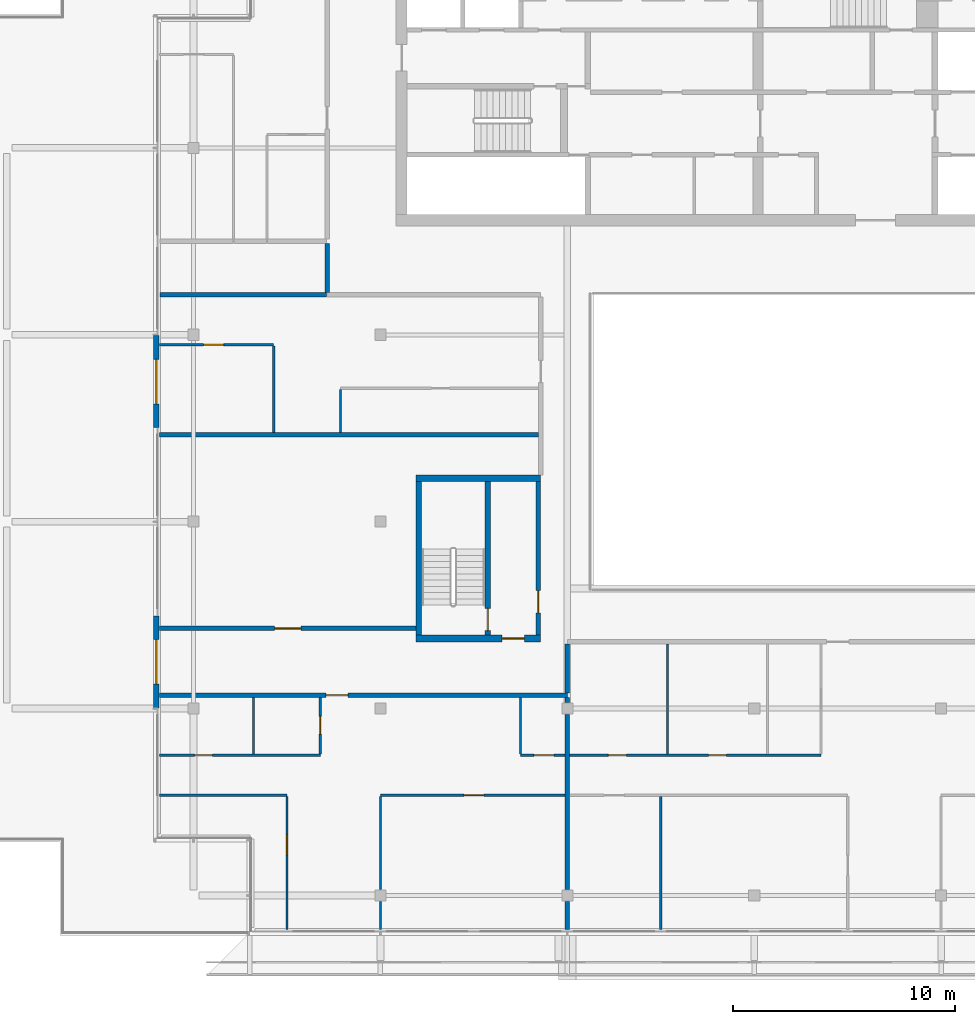
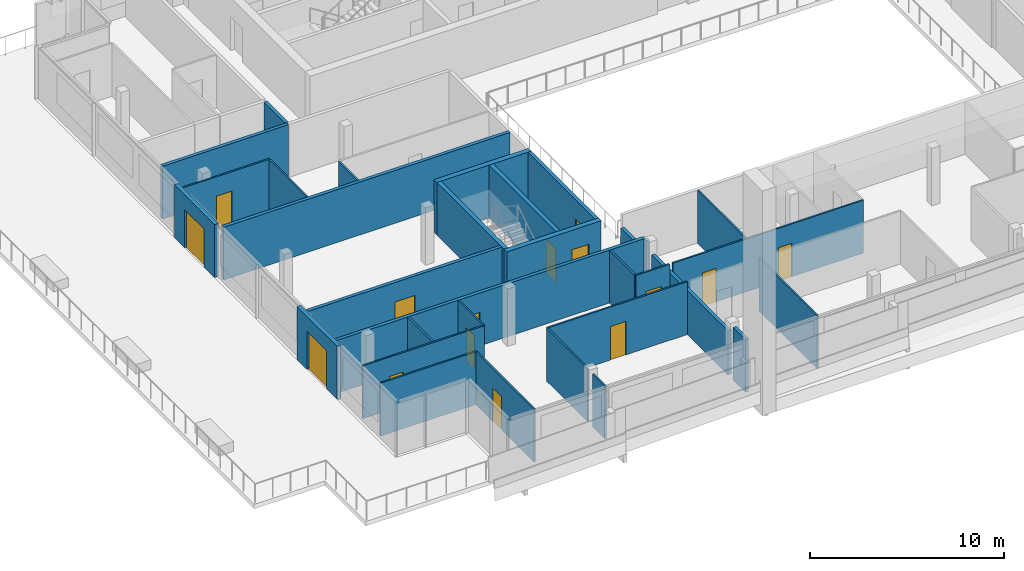
# One storey, part 17 of 29: 32 walls, 15 doors, 15 openings.
"""IFC4 building model written with IfcOpenShell, lengths in metres."""

import ifcopenshell
import ifcopenshell.guid

model = None  # the IFC model being written
_history = None  # IfcOwnerHistory: only IFC2X3 demands one
_inside = {}  # id of a spatial element -> (the spatial element, [elements in it])
_under = {}  # id of a project, library or spatial element -> (it, [spatial elements below it])
_declared = {}  # id of a project -> (the project, [libraries it declares])
_typed = {}  # id of a type object -> (the type object, [elements of that type])
_made_of = {}  # id of a material, layer set ... -> (it, [elements and type objects made of it])


def new_model(schema):
    """Start an empty IFC model of exactly this schema.

    Asked for "IFC4X3", IfcOpenShell would pick the latest addendum, in which some entities
    have other attributes; the version numbers below select the first issue.
    IFC2X3 requires an IfcOwnerHistory on every rooted entity: one is made here for all.
    """
    global model, _history
    if schema == "IFC4X3":
        model = ifcopenshell.file(schema_version=(4, 3, 0, 0))
    else:
        model = ifcopenshell.file(schema=schema)
    _inside.clear()
    _under.clear()
    _declared.clear()
    _typed.clear()
    _made_of.clear()
    _history = None
    if model.schema == "IFC2X3":
        org = make("IfcOrganization", Name="unknown")
        user = make(
            "IfcPersonAndOrganization",
            ThePerson=make("IfcPerson", FamilyName="unknown"),
            TheOrganization=org,
        )
        app = make(
            "IfcApplication",
            ApplicationDeveloper=org,
            Version="unknown",
            ApplicationFullName="unknown",
            ApplicationIdentifier="unknown",
        )
        _history = make(
            "IfcOwnerHistory",
            OwningUser=user,
            OwningApplication=app,
            ChangeAction="ADDED",
            CreationDate=0,
        )
    return model


def make(cls, **values):
    """One entity of the class cls with the attributes given. An attribute that is None is left unset."""
    return model.create_entity(
        cls, **{name: value for name, value in values.items() if value is not None}
    )


def rooted(cls, **values):
    """An entity with a GlobalId (a new one), such as an element, a storey or a relation."""
    return make(cls, GlobalId=ifcopenshell.guid.new(), OwnerHistory=_history, **values)


def si_unit(unit_type, name, prefix=None):
    """IfcSIUnit, for example si_unit("LENGTHUNIT", "METRE", prefix="MILLI")."""
    return make("IfcSIUnit", UnitType=unit_type, Prefix=prefix, Name=name)


def assignment(units):
    """IfcUnitAssignment: the units of a project."""
    return None if units is None else make("IfcUnitAssignment", Units=units)


def point(xyz):
    """IfcCartesianPoint."""
    return None if xyz is None else make("IfcCartesianPoint", Coordinates=xyz)


def direction(xyz):
    """IfcDirection."""
    return None if xyz is None else make("IfcDirection", DirectionRatios=xyz)


def frame(location, z_axis=None, x_axis=None):
    """IfcAxis2Placement3D, a coordinate frame: its origin and axes. An axis left out is left unset."""
    return make(
        "IfcAxis2Placement3D",
        Location=point(location),
        Axis=direction(z_axis),
        RefDirection=direction(x_axis),
    )


def frame_2d(location, x_axis=None):
    """IfcAxis2Placement2D, a coordinate frame in the plane: its origin and x axis."""
    return make(
        "IfcAxis2Placement2D", Location=point(location), RefDirection=direction(x_axis)
    )


def origin():
    """The frame at (0, 0, 0) with its axes left unset."""
    return frame((0.0, 0.0, 0.0))


def place(relative_to, where):
    """IfcLocalPlacement: puts the frame where relative to a parent placement (None: the world)."""
    return make(
        "IfcLocalPlacement", PlacementRelTo=relative_to, RelativePlacement=where
    )


def context(
    kind, dimensions, precision=None, world=None, true_north=None, identifier=None
):
    """IfcGeometricRepresentationContext, for example the 3D "Model" context."""
    return make(
        "IfcGeometricRepresentationContext",
        ContextIdentifier=identifier,
        ContextType=kind,
        CoordinateSpaceDimension=dimensions,
        Precision=precision,
        WorldCoordinateSystem=world,
        TrueNorth=true_north,
    )


def subcontext(parent, identifier, kind, view, scale=None):
    """IfcGeometricRepresentationSubContext, for example "Body" below "Model"."""
    return make(
        "IfcGeometricRepresentationSubContext",
        ContextIdentifier=identifier,
        ContextType=kind,
        ParentContext=parent,
        TargetScale=scale,
        TargetView=view,
    )


def project(units=None, contexts=None):
    """IfcProject with its units and contexts."""
    return rooted(
        "IfcProject",
        Name="project",
        RepresentationContexts=contexts,
        UnitsInContext=assignment(units),
    )


def spatial(cls, under=None, at=None, **own):
    """A site, building, storey or space (cls), placed at a placement, below another one or the project."""
    s = rooted(cls, ObjectPlacement=at, **own)
    if under is not None:
        _under.setdefault(under.id(), (under, []))[1].append(s)
    return s


def profile(cls, at=None, kind="AREA", **sizes):
    """A parametric profile (cls). Its sizes go by their IFC names, for example OverallWidth=200.0."""
    return make(cls, ProfileType=kind, Position=at, **sizes)


def rectangle(**sizes):
    """IfcRectangleProfileDef."""
    return profile("IfcRectangleProfileDef", **sizes)


def extrude(swept, where, along, depth):
    """IfcExtrudedAreaSolid: the profile swept, set in the frame where, extruded along a direction by depth."""
    return make(
        "IfcExtrudedAreaSolid",
        SweptArea=swept,
        Position=where,
        ExtrudedDirection=direction(along),
        Depth=depth,
    )


def shape(context_of_items, identifier, shape_type, items):
    """IfcShapeRepresentation: the items that make up one representation, for example the "Body"."""
    return make(
        "IfcShapeRepresentation",
        ContextOfItems=context_of_items,
        RepresentationIdentifier=identifier,
        RepresentationType=shape_type,
        Items=items,
    )


def material(Name=None, Category=None):
    """IfcMaterial."""
    return make("IfcMaterial", Name=Name, Category=Category)


def layer(
    of_material, thickness, ventilated=None, Name=None, Category=None, Priority=None
):
    """IfcMaterialLayer: one layer of a wall or slab, of a material (None: an air gap)."""
    return make(
        "IfcMaterialLayer",
        Material=of_material,
        LayerThickness=thickness,
        IsVentilated=ventilated,
        Name=Name,
        Category=Category,
        Priority=Priority,
    )


def layer_set(layers, Name=None):
    """IfcMaterialLayerSet."""
    return make("IfcMaterialLayerSet", MaterialLayers=layers, LayerSetName=Name)


def made_of(thing, what):
    """Note that an element or type object is made of a material, layer set ...; save() writes the relation."""
    if what is not None:
        _made_of.setdefault(what.id(), (what, []))[1].append(thing)
    return thing


def type_object(cls, material=None, **own):
    """A type object (cls), such as IfcWallType, which elements share."""
    return made_of(rooted(cls, **own), material)


def element(
    cls,
    number,
    at=None,
    inside=None,
    cuts=None,
    type_object=None,
    material=None,
    context=None,
    identifier="Body",
    shape_type=None,
    held_by="IfcProductDefinitionShape",
    body=None,
    shapes=None,
    **own,
):
    """One element of the class cls, such as IfcWall. Its Tag is "e" and its number.

    at: its placement. inside: the storey or other place that contains it. cuts: it is an
    opening in that element (IfcRelVoidsElement). A single representation is given by context,
    identifier, shape_type and body (its items); several are given by shapes. held_by: the class
    of the entity that holds the representations. save() writes the other relations.
    """
    e = rooted(cls, Tag="e%d" % number, ObjectPlacement=at, **own)
    if body is not None:
        shapes = [shape(context, identifier, shape_type, body)]
    if shapes is not None:
        e.Representation = make(held_by, Representations=shapes)
    if inside is not None:
        _inside.setdefault(inside.id(), (inside, []))[1].append(e)
    if cuts is not None:
        rooted(
            "IfcRelVoidsElement", RelatingBuildingElement=cuts, RelatedOpeningElement=e
        )
    if type_object is not None:
        _typed.setdefault(type_object.id(), (type_object, []))[1].append(e)
    return made_of(e, material)


def fill(opening, filler):
    """IfcRelFillsElement: the door or window that sits in an opening."""
    return rooted(
        "IfcRelFillsElement",
        RelatingOpeningElement=opening,
        RelatedBuildingElement=filler,
    )


def aggregate(whole, parts):
    """IfcRelAggregates: a whole, such as a stair, and the parts it consists of."""
    return rooted("IfcRelAggregates", RelatingObject=whole, RelatedObjects=parts)


def save(model, path):
    """Write the relations noted so far, then the file.

    IfcRelAggregates (storeys below a building ...), IfcRelContainedInSpatialStructure (elements
    in a storey), IfcRelDefinesByType, IfcRelAssociatesMaterial and IfcRelDeclares: one each for
    every whole, place, type object, material and project.
    """
    for whole, parts in _under.values():
        aggregate(whole, parts)
    for where, things in _inside.values():
        rooted(
            "IfcRelContainedInSpatialStructure",
            RelatedElements=things,
            RelatingStructure=where,
        )
    for kind, things in _typed.values():
        rooted("IfcRelDefinesByType", RelatedObjects=things, RelatingType=kind)
    for what, things in _made_of.values():
        rooted("IfcRelAssociatesMaterial", RelatedObjects=things, RelatingMaterial=what)
    for by, libraries in _declared.values():
        rooted("IfcRelDeclares", RelatingContext=by, RelatedDefinitions=libraries)
    model.write(path)


model = new_model("IFC4")

# Units and contexts
model_context = context("Model", 3, precision=1e-05, world=origin(), true_north=direction((0.0, 1.0)))
body_context = subcontext(model_context, "Body", "Model", "MODEL_VIEW")
ifc_project = project(units=[si_unit("LENGTHUNIT", "METRE"), si_unit("AREAUNIT", "SQUARE_METRE"), si_unit("VOLUMEUNIT", "CUBIC_METRE"), si_unit("PLANEANGLEUNIT", "RADIAN"), si_unit("MASSUNIT", "GRAM", prefix="KILO")], contexts=[model_context])

# Site, building, storey
site_placement = place(None, origin())
site = spatial("IfcSite", under=ifc_project, at=site_placement, CompositionType="ELEMENT")
building_placement = place(site_placement, origin())
building = spatial("IfcBuilding", under=site, at=building_placement, Name="Saffron Gate Tower", CompositionType="ELEMENT")
storey_placement = place(building_placement, frame((0.0, 0.0, 270.75)))
storey = spatial("IfcBuildingStorey", under=building, at=storey_placement, Name="L65", CompositionType="ELEMENT", Elevation=270.75)

# Wall, opening, door
ifc_material_1 = material(Name="Gypsum board partition on steel studs", Category="steel")
ifc_layer_1 = layer(ifc_material_1, 0.199951171875)
ifc_layer_set_1 = layer_set([ifc_layer_1], Name="CW10 Core partition 200")
wall_type_1 = type_object("IfcWallType", Name="CW10 Core partition 200", PredefinedType="PARTITIONING", material=ifc_layer_set_1)
wall_1_placement = place(storey_placement, frame((73.699951171875, 43.5, 0.0), z_axis=(0.0, 0.0, 1.0), x_axis=(0.0, 1.0, 0.0)))
wall_1 = element("IfcWall", 1, at=wall_1_placement, inside=storey, type_object=wall_type_1, Name="Wall CW10-L65-D-4", PredefinedType="PARTITIONING", context=body_context, shape_type="SweptSolid", body=[
    extrude(rectangle(XDim=6.89990234375, YDim=0.199951171875, at=frame_2d((3.449951171875, 0.0))), origin(), (0.0, 0.0, 1.0), 3.320068359375),
])
opening_1_placement = place(wall_1_placement, frame((1.0, 0.0, 0.0)))
opening_1 = element("IfcOpeningElement", 2, at=opening_1_placement, cuts=wall_1, Name="Opening CR-19", PredefinedType="OPENING", context=body_context, shape_type="SweptSolid", body=[
    extrude(rectangle(XDim=1.0, YDim=2.10009765625, at=frame_2d((0.5, 1.050048828125))), frame((0.0, 0.10986328125, 0.0), z_axis=(0.0, -1.0, 0.0), x_axis=(1.0, 0.0, 0.0)), (0.0, 0.0, 1.0), 0.219970703125),
])
ifc_material_2 = material(Name="Steel fire door set", Category="steel")
door_type_1 = type_object("IfcDoorType", Name="CD4 Lobby door 1000x2100 EI 120", OperationType="NOTDEFINED", PredefinedType="DOOR", material=ifc_material_2)
door_1_placement = place(opening_1_placement, origin())
door_1 = element("IfcDoor", 3, at=door_1_placement, inside=storey, type_object=door_type_1, Name="DOOR CR-19", OperationType="SINGLE_SWING_RIGHT", OverallHeight=2.10009765625, OverallWidth=1.0, PredefinedType="DOOR", context=body_context, shape_type="SweptSolid", body=[
    extrude(rectangle(XDim=1.0, YDim=2.10009765625, at=frame_2d((0.5, 1.050048828125))), frame((0.0, 0.02490234375, 0.0), z_axis=(0.0, -1.0, 0.0), x_axis=(1.0, 0.0, 0.0)), (0.0, 0.0, 1.0), 0.050048828125),
])
fill(opening_1, door_1)

# Wall
ifc_material_3 = material(Name="Concrete C50", Category="concrete")
ifc_layer_2 = layer(ifc_material_3, 0.25)
ifc_layer_set_2 = layer_set([ifc_layer_2], Name="CW23 RC core wall 250 C50")
wall_type_2 = type_object("IfcWallType", Name="CW23 RC core wall 250 C50", PredefinedType="SOLIDWALL", material=ifc_layer_set_2)
wall_2_placement = place(storey_placement, frame((68.324951171875, 43.5, 0.0), z_axis=(0.0, 0.0, 1.0), x_axis=(0.0, 1.0, 0.0)))
element("IfcWall", 4, at=wall_2_placement, inside=storey, type_object=wall_type_2, Name="Wall CW23-L65-D-2", PredefinedType="SOLIDWALL", context=body_context, shape_type="SweptSolid", body=[
    extrude(rectangle(XDim=6.89990234375, YDim=0.25, at=frame_2d((3.449951171875, 0.0))), origin(), (0.0, 0.0, 1.0), 3.320068359375),
])

# Wall, opening, door
wall_3_placement = place(storey_placement, frame((71.425048828125, 43.5, 0.0), z_axis=(0.0, 0.0, 1.0), x_axis=(0.0, 1.0, 0.0)))
wall_3 = element("IfcWall", 5, at=wall_3_placement, inside=storey, type_object=wall_type_2, Name="Wall CW23-L65-D-3", PredefinedType="SOLIDWALL", context=body_context, shape_type="SweptSolid", body=[
    extrude(rectangle(XDim=6.89990234375, YDim=0.25, at=frame_2d((3.449951171875, 0.0))), origin(), (0.0, 0.0, 1.0), 3.320068359375),
])
opening_2_placement = place(wall_3_placement, frame((0.199951171875, 0.0, 0.0)))
opening_2 = element("IfcOpeningElement", 6, at=opening_2_placement, cuts=wall_3, Name="Opening CR-20", PredefinedType="OPENING", context=body_context, shape_type="SweptSolid", body=[
    extrude(rectangle(XDim=1.0, YDim=2.10009765625, at=frame_2d((0.5, 1.050048828125))), frame((0.0, 0.135009765625, 0.0), z_axis=(0.0, -1.0, 0.0), x_axis=(1.0, 0.0, 0.0)), (0.0, 0.0, 1.0), 0.27001953125),
])
door_type_2 = type_object("IfcDoorType", Name="CD5 Stair door 1000x2100 EI 120", OperationType="NOTDEFINED", PredefinedType="DOOR", material=ifc_material_2)
door_2_placement = place(opening_2_placement, origin())
door_2 = element("IfcDoor", 7, at=door_2_placement, inside=storey, type_object=door_type_2, Name="DOOR CR-20", OperationType="SINGLE_SWING_LEFT", OverallHeight=2.10009765625, OverallWidth=1.0, PredefinedType="DOOR", context=body_context, shape_type="SweptSolid", body=[
    extrude(rectangle(XDim=1.0, YDim=2.10009765625, at=frame_2d((0.5, 1.050048828125))), frame((0.0, 0.02490234375, 0.0), z_axis=(0.0, -1.0, 0.0), x_axis=(1.0, 0.0, 0.0)), (0.0, 0.0, 1.0), 0.050048828125),
])
fill(opening_2, door_2)

ifc_layer_3 = layer(ifc_material_3, 0.300048828125)
ifc_layer_set_3 = layer_set([ifc_layer_3], Name="CW26 RC core wall 300 C50")
wall_type_3 = type_object("IfcWallType", Name="CW26 RC core wall 300 C50", PredefinedType="SOLIDWALL", material=ifc_layer_set_3)
wall_4_placement = place(storey_placement, frame((68.199951171875, 43.35009765625, 0.0), z_axis=(0.0, 0.0, 1.0), x_axis=(1.0, 0.0, 0.0)))
wall_4 = element("IfcWall", 8, at=wall_4_placement, inside=storey, type_object=wall_type_3, Name="Wall CW26-L65-D-1", PredefinedType="SOLIDWALL", context=body_context, shape_type="SweptSolid", body=[
    extrude(rectangle(XDim=5.60009765625, YDim=0.300048828125, at=frame_2d((2.800048828125, 0.0))), origin(), (0.0, 0.0, 1.0), 3.320068359375),
])
opening_3_placement = place(wall_4_placement, frame((3.875, 0.0, 0.0)))
opening_3 = element("IfcOpeningElement", 9, at=opening_3_placement, cuts=wall_4, Name="Opening CR-18", PredefinedType="OPENING", context=body_context, shape_type="SweptSolid", body=[
    extrude(rectangle(XDim=1.0, YDim=2.10009765625, at=frame_2d((0.5, 1.050048828125))), frame((0.0, 0.16015625, 0.0), z_axis=(0.0, -1.0, 0.0), x_axis=(1.0, 0.0, 0.0)), (0.0, 0.0, 1.0), 0.320068359375),
])
door_3_placement = place(opening_3_placement, origin())
door_3 = element("IfcDoor", 10, at=door_3_placement, inside=storey, type_object=door_type_1, Name="DOOR CR-18", OperationType="SINGLE_SWING_RIGHT", OverallHeight=2.10009765625, OverallWidth=1.0, PredefinedType="DOOR", context=body_context, shape_type="SweptSolid", body=[
    extrude(rectangle(XDim=1.0, YDim=2.10009765625, at=frame_2d((0.5, 1.050048828125))), frame((0.0, 0.02490234375, 0.0), z_axis=(0.0, -1.0, 0.0), x_axis=(1.0, 0.0, 0.0)), (0.0, 0.0, 1.0), 0.050048828125),
])
fill(opening_3, door_3)

# Walls
wall_5_placement = place(storey_placement, frame((68.199951171875, 50.550048828125, 0.0), z_axis=(0.0, 0.0, 1.0), x_axis=(1.0, 0.0, 0.0)))
element("IfcWall", 11, at=wall_5_placement, inside=storey, type_object=wall_type_3, Name="Wall CW26-L65-D-5", PredefinedType="SOLIDWALL", context=body_context, shape_type="SweptSolid", body=[
    extrude(rectangle(XDim=5.60009765625, YDim=0.300048828125, at=frame_2d((2.800048828125, 0.0))), origin(), (0.0, 0.0, 1.0), 3.320068359375),
])
ifc_material_4 = material(Name="Plasterboard on steel studs", Category="steel")
ifc_layer_4 = layer(ifc_material_4, 0.10009765625)
ifc_layer_set_4 = layer_set([ifc_layer_4], Name="PW1 Partition 100")
wall_type_4 = type_object("IfcWallType", Name="PW1 Partition 100", PredefinedType="PARTITIONING", material=ifc_layer_set_4)
wall_6_placement = place(storey_placement, frame((56.679931640625, 36.300048828125, 0.0), z_axis=(0.0, 0.0, 1.0), x_axis=(1.0, 0.0, 0.0)))
element("IfcWall", 12, at=wall_6_placement, inside=storey, type_object=wall_type_4, Name="Partition E2-3", PredefinedType="PARTITIONING", context=body_context, shape_type="SweptSolid", body=[
    extrude(rectangle(XDim=5.719970703125, YDim=0.10009765625, at=frame_2d((2.85986328125, 0.0))), origin(), (0.0, 0.0, 1.0), 3.320068359375),
])

# Wall, opening, door
wall_7_placement = place(storey_placement, frame((56.679931640625, 38.10009765625, 0.0), z_axis=(0.0, 0.0, 1.0), x_axis=(1.0, 0.0, 0.0)))
wall_7 = element("IfcWall", 13, at=wall_7_placement, inside=storey, type_object=wall_type_4, Name="Partition E2-7", PredefinedType="PARTITIONING", context=body_context, shape_type="SweptSolid", body=[
    extrude(rectangle(XDim=7.219970703125, YDim=0.10009765625, at=frame_2d((3.60986328125, 0.0))), origin(), (0.0, 0.0, 1.0), 3.320068359375),
])
opening_4_placement = place(wall_7_placement, frame((1.570068359375, 0.0, 0.0)))
opening_4 = element("IfcOpeningElement", 14, at=opening_4_placement, cuts=wall_7, Name="Opening E2-23", PredefinedType="OPENING", context=body_context, shape_type="SweptSolid", body=[
    extrude(rectangle(XDim=0.800048828125, YDim=2.10009765625, at=frame_2d((0.39990234375, 1.050048828125))), frame((0.0, 0.06005859375, 0.0), z_axis=(0.0, -1.0, 0.0), x_axis=(1.0, 0.0, 0.0)), (0.0, 0.0, 1.0), 0.1201171875),
])
ifc_material_5 = material(Name="Timber door set", Category="wood")
door_type_3 = type_object("IfcDoorType", Name="RD2 Bathroom door 800x2100", OperationType="NOTDEFINED", PredefinedType="DOOR", material=ifc_material_5)
door_4_placement = place(opening_4_placement, origin())
door_4 = element("IfcDoor", 15, at=door_4_placement, inside=storey, type_object=door_type_3, Name="Door E2-23", OperationType="SINGLE_SWING_LEFT", OverallHeight=2.10009765625, OverallWidth=0.800048828125, PredefinedType="DOOR", context=body_context, shape_type="SweptSolid", body=[
    extrude(rectangle(XDim=0.800048828125, YDim=2.10009765625, at=frame_2d((0.39990234375, 1.050048828125))), frame((0.0, 0.02490234375, 0.0), z_axis=(0.0, -1.0, 0.0), x_axis=(1.0, 0.0, 0.0)), (0.0, 0.0, 1.0), 0.050048828125),
])
fill(opening_4, door_4)

wall_8_placement = place(storey_placement, frame((61.800048828125, 56.550048828125, 0.0), z_axis=(0.0, 0.0, 1.0), x_axis=(-1.0, 0.0, 0.0)))
wall_8 = element("IfcWall", 16, at=wall_8_placement, inside=storey, type_object=wall_type_4, Name="Partition E2-19", PredefinedType="PARTITIONING", context=body_context, shape_type="SweptSolid", body=[
    extrude(rectangle(XDim=5.1201171875, YDim=0.10009765625, at=frame_2d((2.56005859375, 0.0))), origin(), (0.0, 0.0, 1.0), 3.320068359375),
])
opening_5_placement = place(wall_8_placement, frame((2.25, 0.0, 0.0)))
opening_5 = element("IfcOpeningElement", 17, at=opening_5_placement, cuts=wall_8, Name="Opening E2-19", PredefinedType="OPENING", context=body_context, shape_type="SweptSolid", body=[
    extrude(rectangle(XDim=0.89990234375, YDim=2.10009765625, at=frame_2d((0.449951171875, 1.050048828125))), frame((0.0, 0.06005859375, 0.0), z_axis=(0.0, -1.0, 0.0), x_axis=(1.0, 0.0, 0.0)), (0.0, 0.0, 1.0), 0.1201171875),
])
door_type_4 = type_object("IfcDoorType", Name="RD1 Room door 900x2100", OperationType="NOTDEFINED", PredefinedType="DOOR", material=ifc_material_5)
door_5_placement = place(opening_5_placement, origin())
door_5 = element("IfcDoor", 18, at=door_5_placement, inside=storey, type_object=door_type_4, Name="Door E2-19", OperationType="SINGLE_SWING_RIGHT", OverallHeight=2.10009765625, OverallWidth=0.89990234375, PredefinedType="DOOR", context=body_context, shape_type="SweptSolid", body=[
    extrude(rectangle(XDim=0.89990234375, YDim=2.10009765625, at=frame_2d((0.449951171875, 1.050048828125))), frame((0.0, 0.02490234375, 0.0), z_axis=(0.0, -1.0, 0.0), x_axis=(1.0, 0.0, 0.0)), (0.0, 0.0, 1.0), 0.050048828125),
])
fill(opening_5, door_5)

# Walls
wall_9_placement = place(storey_placement, frame((60.89990234375, 40.699951171875, 0.0), z_axis=(0.0, 0.0, 1.0), x_axis=(0.0, -1.0, 0.0)))
element("IfcWall", 19, at=wall_9_placement, inside=storey, type_object=wall_type_4, Name="Partition E2-36", PredefinedType="PARTITIONING", context=body_context, shape_type="SweptSolid", body=[
    extrude(rectangle(XDim=2.550048828125, YDim=0.10009765625, at=frame_2d((1.27490234375, 0.0))), origin(), (0.0, 0.0, 1.0), 3.320068359375),
])
wall_10_placement = place(storey_placement, frame((61.800048828125, 56.5, 0.0), z_axis=(0.0, 0.0, 1.0), x_axis=(0.0, -1.0, 0.0)))
element("IfcWall", 20, at=wall_10_placement, inside=storey, type_object=wall_type_4, Name="Partition E2-38", PredefinedType="PARTITIONING", context=body_context, shape_type="SweptSolid", body=[
    extrude(rectangle(XDim=3.89990234375, YDim=0.10009765625, at=frame_2d((1.949951171875, 0.0))), origin(), (0.0, 0.0, 1.0), 3.320068359375),
])

# Wall, opening, door
wall_11_placement = place(storey_placement, frame((62.39990234375, 30.280029296875, 0.0), z_axis=(0.0, 0.0, 1.0), x_axis=(0.0, 1.0, 0.0)))
wall_11 = element("IfcWall", 21, at=wall_11_placement, inside=storey, type_object=wall_type_4, Name="Partition E2-39", PredefinedType="PARTITIONING", context=body_context, shape_type="SweptSolid", body=[
    extrude(rectangle(XDim=5.969970703125, YDim=0.10009765625, at=frame_2d((2.98486328125, 0.0))), origin(), (0.0, 0.0, 1.0), 3.320068359375),
])
opening_6_placement = place(wall_11_placement, frame((3.338623046875, 0.0, 0.0)))
opening_6 = element("IfcOpeningElement", 22, at=opening_6_placement, cuts=wall_11, Name="Opening E2-8", PredefinedType="OPENING", context=body_context, shape_type="SweptSolid", body=[
    extrude(rectangle(XDim=0.89990234375, YDim=2.10009765625, at=frame_2d((0.449951171875, 1.050048828125))), frame((0.0, 0.06005859375, 0.0), z_axis=(0.0, -1.0, 0.0), x_axis=(1.0, 0.0, 0.0)), (0.0, 0.0, 1.0), 0.1201171875),
])
door_6_placement = place(opening_6_placement, origin())
door_6 = element("IfcDoor", 23, at=door_6_placement, inside=storey, type_object=door_type_4, Name="Door E2-8", OperationType="SINGLE_SWING_RIGHT", OverallHeight=2.10009765625, OverallWidth=0.89990234375, PredefinedType="DOOR", context=body_context, shape_type="SweptSolid", body=[
    extrude(rectangle(XDim=0.89990234375, YDim=2.10009765625, at=frame_2d((0.449951171875, 1.050048828125))), frame((0.0, 0.02490234375, 0.0), z_axis=(0.0, -1.0, 0.0), x_axis=(1.0, 0.0, 0.0)), (0.0, 0.0, 1.0), 0.050048828125),
])
fill(opening_6, door_6)

wall_12_placement = place(storey_placement, frame((63.89990234375, 38.14990234375, 0.0), z_axis=(0.0, 0.0, 1.0), x_axis=(0.0, 1.0, 0.0)))
wall_12 = element("IfcWall", 24, at=wall_12_placement, inside=storey, type_object=wall_type_4, Name="Partition E2-40", PredefinedType="PARTITIONING", context=body_context, shape_type="SweptSolid", body=[
    extrude(rectangle(XDim=2.550048828125, YDim=0.10009765625, at=frame_2d((1.27490234375, 0.0))), origin(), (0.0, 0.0, 1.0), 3.320068359375),
])
opening_7_placement = place(wall_12_placement, frame((0.89990234375, 0.0, 0.0)))
opening_7 = element("IfcOpeningElement", 25, at=opening_7_placement, cuts=wall_12, Name="Opening E2-24", PredefinedType="OPENING", context=body_context, shape_type="SweptSolid", body=[
    extrude(rectangle(XDim=0.800048828125, YDim=2.10009765625, at=frame_2d((0.39990234375, 1.050048828125))), frame((0.0, 0.06005859375, 0.0), z_axis=(0.0, -1.0, 0.0), x_axis=(1.0, 0.0, 0.0)), (0.0, 0.0, 1.0), 0.1201171875),
])
door_7_placement = place(opening_7_placement, origin())
door_7 = element("IfcDoor", 26, at=door_7_placement, inside=storey, type_object=door_type_3, Name="Door E2-24", OperationType="SINGLE_SWING_RIGHT", OverallHeight=2.10009765625, OverallWidth=0.800048828125, PredefinedType="DOOR", context=body_context, shape_type="SweptSolid", body=[
    extrude(rectangle(XDim=0.800048828125, YDim=2.10009765625, at=frame_2d((0.39990234375, 1.050048828125))), frame((0.0, 0.02490234375, 0.0), z_axis=(0.0, -1.0, 0.0), x_axis=(1.0, 0.0, 0.0)), (0.0, 0.0, 1.0), 0.050048828125),
])
fill(opening_7, door_7)

# Walls
wall_13_placement = place(storey_placement, frame((64.800048828125, 54.550048828125, 0.0), z_axis=(0.0, 0.0, 1.0), x_axis=(0.0, -1.0, 0.0)))
element("IfcWall", 27, at=wall_13_placement, inside=storey, type_object=wall_type_4, Name="Partition E2-43", PredefinedType="PARTITIONING", context=body_context, shape_type="SweptSolid", body=[
    extrude(rectangle(XDim=1.949951171875, YDim=0.10009765625, at=frame_2d((0.97509765625, 0.0))), origin(), (0.0, 0.0, 1.0), 3.320068359375),
])
wall_14_placement = place(storey_placement, frame((66.60009765625, 31.530029296875, 0.0), z_axis=(0.0, 0.0, 1.0), x_axis=(0.0, -1.0, 0.0)))
element("IfcWall", 28, at=wall_14_placement, inside=storey, type_object=wall_type_4, Name="Partition E2-44", PredefinedType="PARTITIONING", context=body_context, shape_type="SweptSolid", body=[
    extrude(rectangle(XDim=1.25, YDim=0.10009765625, at=frame_2d((0.625, 0.0))), origin(), (0.0, 0.0, 1.0), 3.320068359375),
])
wall_15_placement = place(storey_placement, frame((66.60009765625, 36.25, 0.0), z_axis=(0.0, 0.0, 1.0), x_axis=(0.0, -1.0, 0.0)))
element("IfcWall", 29, at=wall_15_placement, inside=storey, type_object=wall_type_4, Name="Partition E2-45", PredefinedType="PARTITIONING", context=body_context, shape_type="SweptSolid", body=[
    extrude(rectangle(XDim=4.179931640625, YDim=0.10009765625, at=frame_2d((2.08984375, 0.0))), origin(), (0.0, 0.0, 1.0), 3.320068359375),
])
wall_16_placement = place(storey_placement, frame((72.89990234375, 40.699951171875, 0.0), z_axis=(0.0, 0.0, 1.0), x_axis=(0.0, -1.0, 0.0)))
element("IfcWall", 30, at=wall_16_placement, inside=storey, type_object=wall_type_4, Name="Partition E2-46", PredefinedType="PARTITIONING", context=body_context, shape_type="SweptSolid", body=[
    extrude(rectangle(XDim=2.550048828125, YDim=0.10009765625, at=frame_2d((1.27490234375, 0.0))), origin(), (0.0, 0.0, 1.0), 3.320068359375),
])
wall_17_placement = place(storey_placement, frame((79.199951171875, 36.25, 0.0), z_axis=(0.0, 0.0, 1.0), x_axis=(0.0, -1.0, 0.0)))
element("IfcWall", 31, at=wall_17_placement, inside=storey, type_object=wall_type_4, Name="Partition E2-52", PredefinedType="PARTITIONING", context=body_context, shape_type="SweptSolid", body=[
    extrude(rectangle(XDim=5.969970703125, YDim=0.10009765625, at=frame_2d((2.98486328125, 0.0))), origin(), (0.0, 0.0, 1.0), 3.320068359375),
])
wall_18_placement = place(storey_placement, frame((79.5, 43.10009765625, 0.0), z_axis=(0.0, 0.0, 1.0), x_axis=(0.0, -1.0, 0.0)))
element("IfcWall", 32, at=wall_18_placement, inside=storey, type_object=wall_type_4, Name="Partition E2-53", PredefinedType="PARTITIONING", context=body_context, shape_type="SweptSolid", body=[
    extrude(rectangle(XDim=4.9501953125, YDim=0.10009765625, at=frame_2d((2.47509765625, 0.0))), origin(), (0.0, 0.0, 1.0), 3.320068359375),
])

# Wall, opening, door
wall_19_placement = place(storey_placement, frame((74.89990234375, 36.300048828125, 0.0), z_axis=(0.0, 0.0, 1.0), x_axis=(-1.0, 0.0, 0.0)))
wall_19 = element("IfcWall", 33, at=wall_19_placement, inside=storey, type_object=wall_type_4, Name="Partition E2-78", PredefinedType="PARTITIONING", context=body_context, shape_type="SweptSolid", body=[
    extrude(rectangle(XDim=8.2998046875, YDim=0.10009765625, at=frame_2d((4.14990234375, 0.0))), origin(), (0.0, 0.0, 1.0), 3.320068359375),
])
opening_8_placement = place(wall_19_placement, frame((3.64990234375, 0.0, 0.0)))
opening_8 = element("IfcOpeningElement", 34, at=opening_8_placement, cuts=wall_19, Name="Opening E2-9", PredefinedType="OPENING", context=body_context, shape_type="SweptSolid", body=[
    extrude(rectangle(XDim=0.89990234375, YDim=2.10009765625, at=frame_2d((0.449951171875, 1.050048828125))), frame((0.0, 0.06005859375, 0.0), z_axis=(0.0, -1.0, 0.0), x_axis=(1.0, 0.0, 0.0)), (0.0, 0.0, 1.0), 0.1201171875),
])
door_8_placement = place(opening_8_placement, origin())
door_8 = element("IfcDoor", 35, at=door_8_placement, inside=storey, type_object=door_type_4, Name="Door E2-9", OperationType="SINGLE_SWING_LEFT", OverallHeight=2.10009765625, OverallWidth=0.89990234375, PredefinedType="DOOR", context=body_context, shape_type="SweptSolid", body=[
    extrude(rectangle(XDim=0.89990234375, YDim=2.10009765625, at=frame_2d((0.449951171875, 1.050048828125))), frame((0.0, 0.02490234375, 0.0), z_axis=(0.0, -1.0, 0.0), x_axis=(1.0, 0.0, 0.0)), (0.0, 0.0, 1.0), 0.050048828125),
])
fill(opening_8, door_8)

wall_20_placement = place(storey_placement, frame((72.89990234375, 38.10009765625, 0.0), z_axis=(0.0, 0.0, 1.0), x_axis=(1.0, 0.0, 0.0)))
wall_20 = element("IfcWall", 36, at=wall_20_placement, inside=storey, type_object=wall_type_4, Name="Partition E2-80", PredefinedType="PARTITIONING", context=body_context, shape_type="SweptSolid", body=[
    extrude(rectangle(XDim=2.0, YDim=0.10009765625, at=frame_2d((1.0, 0.0))), origin(), (0.0, 0.0, 1.0), 3.320068359375),
])
opening_9_placement = place(wall_20_placement, frame((0.60009765625, 0.0, 0.0)))
opening_9 = element("IfcOpeningElement", 37, at=opening_9_placement, cuts=wall_20, Name="Opening E2-10", PredefinedType="OPENING", context=body_context, shape_type="SweptSolid", body=[
    extrude(rectangle(XDim=0.89990234375, YDim=2.10009765625, at=frame_2d((0.449951171875, 1.050048828125))), frame((0.0, 0.06005859375, 0.0), z_axis=(0.0, -1.0, 0.0), x_axis=(1.0, 0.0, 0.0)), (0.0, 0.0, 1.0), 0.1201171875),
])
door_9_placement = place(opening_9_placement, origin())
door_9 = element("IfcDoor", 38, at=door_9_placement, inside=storey, type_object=door_type_4, Name="Door E2-10", OperationType="SINGLE_SWING_RIGHT", OverallHeight=2.10009765625, OverallWidth=0.89990234375, PredefinedType="DOOR", context=body_context, shape_type="SweptSolid", body=[
    extrude(rectangle(XDim=0.89990234375, YDim=2.10009765625, at=frame_2d((0.449951171875, 1.050048828125))), frame((0.0, 0.02490234375, 0.0), z_axis=(0.0, -1.0, 0.0), x_axis=(1.0, 0.0, 0.0)), (0.0, 0.0, 1.0), 0.050048828125),
])
fill(opening_9, door_9)

# Wall, openings, doors
wall_21_placement = place(storey_placement, frame((75.10009765625, 38.10009765625, 0.0), z_axis=(0.0, 0.0, 1.0), x_axis=(1.0, 0.0, 0.0)))
wall_21 = element("IfcWall", 39, at=wall_21_placement, inside=storey, type_object=wall_type_4, Name="Partition E2-81", PredefinedType="PARTITIONING", context=body_context, shape_type="SweptSolid", body=[
    extrude(rectangle(XDim=11.2998046875, YDim=0.10009765625, at=frame_2d((5.64990234375, 0.0))), origin(), (0.0, 0.0, 1.0), 3.320068359375),
])
opening_10_placement = place(wall_21_placement, frame((1.75, 0.0, 0.0)))
opening_10 = element("IfcOpeningElement", 40, at=opening_10_placement, cuts=wall_21, Name="Opening E2-25", PredefinedType="OPENING", context=body_context, shape_type="SweptSolid", body=[
    extrude(rectangle(XDim=0.800048828125, YDim=2.10009765625, at=frame_2d((0.39990234375, 1.050048828125))), frame((0.0, 0.06005859375, 0.0), z_axis=(0.0, -1.0, 0.0), x_axis=(1.0, 0.0, 0.0)), (0.0, 0.0, 1.0), 0.1201171875),
])
opening_11_placement = place(wall_21_placement, frame((6.25, 0.0, 0.0)))
opening_11 = element("IfcOpeningElement", 41, at=opening_11_placement, cuts=wall_21, Name="Opening E2-26", PredefinedType="OPENING", context=body_context, shape_type="SweptSolid", body=[
    extrude(rectangle(XDim=0.800048828125, YDim=2.10009765625, at=frame_2d((0.39990234375, 1.050048828125))), frame((0.0, 0.06005859375, 0.0), z_axis=(0.0, -1.0, 0.0), x_axis=(1.0, 0.0, 0.0)), (0.0, 0.0, 1.0), 0.1201171875),
])
door_10_placement = place(opening_10_placement, origin())
door_10 = element("IfcDoor", 42, at=door_10_placement, inside=storey, type_object=door_type_3, Name="Door E2-25", OperationType="SINGLE_SWING_LEFT", OverallHeight=2.10009765625, OverallWidth=0.800048828125, PredefinedType="DOOR", context=body_context, shape_type="SweptSolid", body=[
    extrude(rectangle(XDim=0.800048828125, YDim=2.10009765625, at=frame_2d((0.39990234375, 1.050048828125))), frame((0.0, 0.02490234375, 0.0), z_axis=(0.0, -1.0, 0.0), x_axis=(1.0, 0.0, 0.0)), (0.0, 0.0, 1.0), 0.050048828125),
])
fill(opening_10, door_10)
door_11_placement = place(opening_11_placement, origin())
door_11 = element("IfcDoor", 43, at=door_11_placement, inside=storey, type_object=door_type_3, Name="Door E2-26", OperationType="SINGLE_SWING_LEFT", OverallHeight=2.10009765625, OverallWidth=0.800048828125, PredefinedType="DOOR", context=body_context, shape_type="SweptSolid", body=[
    extrude(rectangle(XDim=0.800048828125, YDim=2.10009765625, at=frame_2d((0.39990234375, 1.050048828125))), frame((0.0, 0.02490234375, 0.0), z_axis=(0.0, -1.0, 0.0), x_axis=(1.0, 0.0, 0.0)), (0.0, 0.0, 1.0), 0.050048828125),
])
fill(opening_11, door_11)

# Walls
ifc_material_6 = material(Name="Clay brick masonry, rendered", Category="masonry")
ifc_layer_5 = layer(ifc_material_6, 0.199951171875)
ifc_layer_set_5 = layer_set([ifc_layer_5], Name="PW2 Demising wall 200")
wall_type_5 = type_object("IfcWallType", Name="PW2 Demising wall 200", PredefinedType="PARTITIONING", material=ifc_layer_set_5)
wall_22_placement = place(storey_placement, frame((75.0, 31.530029296875, 0.0), z_axis=(0.0, 0.0, 1.0), x_axis=(0.0, -1.0, 0.0)))
element("IfcWall", 44, at=wall_22_placement, inside=storey, type_object=wall_type_5, Name="Wall E2-49", PredefinedType="PARTITIONING", context=body_context, shape_type="SweptSolid", body=[
    extrude(rectangle(XDim=1.25, YDim=0.199951171875, at=frame_2d((0.625, 0.0))), origin(), (0.0, 0.0, 1.0), 3.320068359375),
])
wall_23_placement = place(storey_placement, frame((75.0, 39.929931640625, 0.0), z_axis=(0.0, 0.0, 1.0), x_axis=(0.0, -1.0, 0.0)))
element("IfcWall", 45, at=wall_23_placement, inside=storey, type_object=wall_type_5, Name="Wall E2-50", PredefinedType="PARTITIONING", context=body_context, shape_type="SweptSolid", body=[
    extrude(rectangle(XDim=7.85986328125, YDim=0.199951171875, at=frame_2d((3.929931640625, 0.0))), origin(), (0.0, 0.0, 1.0), 2.77001953125),
])
wall_24_placement = place(storey_placement, frame((75.0, 40.699951171875, 0.0), z_axis=(0.0, 0.0, 1.0), x_axis=(0.0, -1.0, 0.0)))
element("IfcWall", 46, at=wall_24_placement, inside=storey, type_object=wall_type_5, Name="Wall E2-51", PredefinedType="PARTITIONING", context=body_context, shape_type="SweptSolid", body=[
    extrude(rectangle(XDim=0.22998046875, YDim=0.199951171875, at=frame_2d((0.114990234375, 0.0))), origin(), (0.0, 0.0, 1.0), 3.320068359375),
])

# Wall, opening, door
ifc_layer_6 = layer(ifc_material_6, 0.199951171875)
ifc_layer_set_6 = layer_set([ifc_layer_6], Name="PW3 Corridor wall 200")
wall_type_6 = type_object("IfcWallType", Name="PW3 Corridor wall 200", PredefinedType="PARTITIONING", material=ifc_layer_set_6)
wall_25_placement = place(storey_placement, frame((75.0, 40.800048828125, 0.0), z_axis=(0.0, 0.0, 1.0), x_axis=(-1.0, 0.0, 0.0)))
wall_25 = element("IfcWall", 47, at=wall_25_placement, inside=storey, type_object=wall_type_6, Name="Wall E2-9", PredefinedType="PARTITIONING", context=body_context, shape_type="SweptSolid", body=[
    extrude(rectangle(XDim=18.320068359375, YDim=0.199951171875, at=frame_2d((9.16015625, 0.0))), origin(), (0.0, 0.0, 1.0), 3.320068359375),
])
opening_12_placement = place(wall_25_placement, frame((9.85009765625, 0.0, 0.0)))
opening_12 = element("IfcOpeningElement", 48, at=opening_12_placement, cuts=wall_25, Name="Opening E2-1", PredefinedType="OPENING", context=body_context, shape_type="SweptSolid", body=[
    extrude(rectangle(XDim=1.0, YDim=2.10009765625, at=frame_2d((0.5, 1.050048828125))), frame((0.0, 0.10986328125, 0.0), z_axis=(0.0, -1.0, 0.0), x_axis=(1.0, 0.0, 0.0)), (0.0, 0.0, 1.0), 0.219970703125),
])
ifc_material_7 = material(Name="Timber fire door set", Category="wood")
door_type_5 = type_object("IfcDoorType", Name="FD1 Flat entry door 1000x2100", OperationType="NOTDEFINED", PredefinedType="DOOR", material=ifc_material_7)
door_12_placement = place(opening_12_placement, origin())
door_12 = element("IfcDoor", 49, at=door_12_placement, inside=storey, type_object=door_type_5, Name="Door E2-1", OperationType="SINGLE_SWING_LEFT", OverallHeight=2.10009765625, OverallWidth=1.0, PredefinedType="DOOR", context=body_context, shape_type="SweptSolid", body=[
    extrude(rectangle(XDim=1.0, YDim=2.10009765625, at=frame_2d((0.5, 1.050048828125))), frame((0.0, 0.02490234375, 0.0), z_axis=(0.0, -1.0, 0.0), x_axis=(1.0, 0.0, 0.0)), (0.0, 0.0, 1.0), 0.050048828125),
])
fill(opening_12, door_12)

wall_26_placement = place(storey_placement, frame((56.679931640625, 43.800048828125, 0.0), z_axis=(0.0, 0.0, 1.0), x_axis=(1.0, 0.0, 0.0)))
wall_26 = element("IfcWall", 50, at=wall_26_placement, inside=storey, type_object=wall_type_6, Name="Wall E2-12", PredefinedType="PARTITIONING", context=body_context, shape_type="SweptSolid", body=[
    extrude(rectangle(XDim=11.52001953125, YDim=0.199951171875, at=frame_2d((5.760009765625, 0.0))), origin(), (0.0, 0.0, 1.0), 3.320068359375),
])
opening_13_placement = place(wall_26_placement, frame((5.159912109375, 0.0, 0.0)))
opening_13 = element("IfcOpeningElement", 51, at=opening_13_placement, cuts=wall_26, Name="Opening E2-34", PredefinedType="OPENING", context=body_context, shape_type="SweptSolid", body=[
    extrude(rectangle(XDim=1.199951171875, YDim=2.10009765625, at=frame_2d((0.60009765625, 1.050048828125))), frame((0.0, 0.10986328125, 0.0), z_axis=(0.0, -1.0, 0.0), x_axis=(1.0, 0.0, 0.0)), (0.0, 0.0, 1.0), 0.219970703125),
])
door_type_6 = type_object("IfcDoorType", Name="HD1 Hall door 1200x2100", OperationType="NOTDEFINED", PredefinedType="DOOR", material=ifc_material_5)
door_13_placement = place(opening_13_placement, origin())
door_13 = element("IfcDoor", 52, at=door_13_placement, inside=storey, type_object=door_type_6, Name="Door E2-34", OperationType="SINGLE_SWING_LEFT", OverallHeight=2.10009765625, OverallWidth=1.199951171875, PredefinedType="DOOR", context=body_context, shape_type="SweptSolid", body=[
    extrude(rectangle(XDim=1.199951171875, YDim=2.10009765625, at=frame_2d((0.60009765625, 1.050048828125))), frame((0.0, 0.02490234375, 0.0), z_axis=(0.0, -1.0, 0.0), x_axis=(1.0, 0.0, 0.0)), (0.0, 0.0, 1.0), 0.050048828125),
])
fill(opening_13, door_13)

# Walls
wall_27_placement = place(storey_placement, frame((75.0, 43.10009765625, 0.0), z_axis=(0.0, 0.0, 1.0), x_axis=(0.0, -1.0, 0.0)))
element("IfcWall", 53, at=wall_27_placement, inside=storey, type_object=wall_type_6, Name="Wall E2-48", PredefinedType="PARTITIONING", context=body_context, shape_type="SweptSolid", body=[
    extrude(rectangle(XDim=2.2001953125, YDim=0.199951171875, at=frame_2d((1.10009765625, 0.0))), origin(), (0.0, 0.0, 1.0), 2.530029296875),
])
ifc_layer_7 = layer(ifc_material_6, 0.199951171875)
ifc_layer_set_7 = layer_set([ifc_layer_7], Name="PW5 Room wall 200")
wall_type_7 = type_object("IfcWallType", Name="PW5 Room wall 200", PredefinedType="PARTITIONING", material=ifc_layer_set_7)
wall_28_placement = place(storey_placement, frame((56.679931640625, 52.5, 0.0), z_axis=(0.0, 0.0, 1.0), x_axis=(1.0, 0.0, 0.0)))
element("IfcWall", 54, at=wall_28_placement, inside=storey, type_object=wall_type_7, Name="Wall E2-14", PredefinedType="PARTITIONING", context=body_context, shape_type="SweptSolid", body=[
    extrude(rectangle(XDim=17.02001953125, YDim=0.199951171875, at=frame_2d((8.510009765625, 0.0))), origin(), (0.0, 0.0, 1.0), 3.320068359375),
])
wall_29_placement = place(storey_placement, frame((56.699951171875, 58.800048828125, 0.0), z_axis=(0.0, 0.0, 1.0), x_axis=(1.0, 0.0, 0.0)))
element("IfcWall", 55, at=wall_29_placement, inside=storey, type_object=wall_type_7, Name="Wall E2-22", PredefinedType="PARTITIONING", context=body_context, shape_type="SweptSolid", body=[
    extrude(rectangle(XDim=7.47998046875, YDim=0.199951171875, at=frame_2d((3.739990234375, 0.0))), origin(), (0.0, 0.0, 1.0), 3.320068359375),
])
wall_30_placement = place(storey_placement, frame((64.199951171875, 61.10009765625, 0.0), z_axis=(0.0, 0.0, 1.0), x_axis=(0.0, -1.0, 0.0)))
element("IfcWall", 56, at=wall_30_placement, inside=storey, type_object=wall_type_7, Name="Wall E2-42", PredefinedType="PARTITIONING", context=body_context, shape_type="SweptSolid", body=[
    extrude(rectangle(XDim=2.2001953125, YDim=0.199951171875, at=frame_2d((1.10009765625, 0.0))), origin(), (0.0, 0.0, 1.0), 3.320068359375),
])

# Wall, opening, door
ifc_material_8 = material(Name="Reinforced concrete C40/50 clad in bronze panels", Category="concrete")
ifc_layer_8 = layer(ifc_material_8, 0.25)
ifc_layer_set_8 = layer_set([ifc_layer_8], Name="WBAY2 deck door bay wall")
wall_type_8 = type_object("IfcWallType", Name="WBAY2 deck door bay wall", PredefinedType="SOLIDWALL", material=ifc_layer_set_8)
wall_31_placement = place(storey_placement, frame((56.52490234375, 52.830078125, 0.0), z_axis=(0.0, 0.0, 1.0), x_axis=(0.0, 1.0, 0.0)))
wall_31 = element("IfcWall", 57, at=wall_31_placement, inside=storey, type_object=wall_type_8, Name="ENTRANCE BAY wall", PredefinedType="SOLIDWALL", context=body_context, shape_type="SweptSolid", body=[
    extrude(rectangle(XDim=4.139892578125, YDim=0.25, at=frame_2d((2.06982421875, 0.0))), origin(), (0.0, 0.0, 1.0), 3.320068359375),
])
opening_14_placement = place(wall_31_placement, frame((1.070068359375, 0.0, 0.0)))
opening_14 = element("IfcOpeningElement", 58, at=opening_14_placement, cuts=wall_31, Name="Opening T65-03", PredefinedType="OPENING", context=body_context, shape_type="SweptSolid", body=[
    extrude(rectangle(XDim=2.0, YDim=2.39990234375, at=frame_2d((1.0, 1.199951171875))), frame((0.0, 0.135009765625, 0.0), z_axis=(0.0, -1.0, 0.0), x_axis=(1.0, 0.0, 0.0)), (0.0, 0.0, 1.0), 0.27001953125),
])
ifc_material_9 = material(Name="Bronze-framed toughened glass", Category="glass")
ifc_layer_9 = layer(ifc_material_9, 0.050048828125)
ifc_layer_set_9 = layer_set([ifc_layer_9], Name="D1 external double door 2000x2400")
door_type_7 = type_object("IfcDoorType", Name="D1 external double door 2000x2400", OperationType="DOUBLE_DOOR_SINGLE_SWING", PredefinedType="DOOR", material=ifc_layer_set_9)
door_14_placement = place(opening_14_placement, origin())
door_14 = element("IfcDoor", 59, at=door_14_placement, inside=storey, type_object=door_type_7, Name="DOOR T65-03", OperationType="DOUBLE_DOOR_SINGLE_SWING", OverallHeight=2.39990234375, OverallWidth=2.0, PredefinedType="DOOR", context=body_context, shape_type="SweptSolid", body=[
    extrude(rectangle(XDim=2.0, YDim=2.39990234375, at=frame_2d((1.0, 1.199951171875))), frame((0.0, 0.02490234375, 0.0), z_axis=(0.0, -1.0, 0.0), x_axis=(1.0, 0.0, 0.0)), (0.0, 0.0, 1.0), 0.050048828125),
])
fill(opening_14, door_14)

wall_32_placement = place(storey_placement, frame((56.52490234375, 40.22998046875, 0.0), z_axis=(0.0, 0.0, 1.0), x_axis=(0.0, 1.0, 0.0)))
wall_32 = element("IfcWall", 60, at=wall_32_placement, inside=storey, type_object=wall_type_8, Name="ENTRANCE BAY wall", PredefinedType="SOLIDWALL", context=body_context, shape_type="SweptSolid", body=[
    extrude(rectangle(XDim=4.14013671875, YDim=0.25, at=frame_2d((2.070068359375, 0.0))), origin(), (0.0, 0.0, 1.0), 3.320068359375),
])
opening_15_placement = place(wall_32_placement, frame((1.070068359375, 0.0, 0.0)))
opening_15 = element("IfcOpeningElement", 61, at=opening_15_placement, cuts=wall_32, Name="Opening T65-04", PredefinedType="OPENING", context=body_context, shape_type="SweptSolid", body=[
    extrude(rectangle(XDim=2.0, YDim=2.39990234375, at=frame_2d((1.0, 1.199951171875))), frame((0.0, 0.135009765625, 0.0), z_axis=(0.0, -1.0, 0.0), x_axis=(1.0, 0.0, 0.0)), (0.0, 0.0, 1.0), 0.27001953125),
])
door_15_placement = place(opening_15_placement, origin())
door_15 = element("IfcDoor", 62, at=door_15_placement, inside=storey, type_object=door_type_7, Name="DOOR T65-04", OperationType="DOUBLE_DOOR_SINGLE_SWING", OverallHeight=2.39990234375, OverallWidth=2.0, PredefinedType="DOOR", context=body_context, shape_type="SweptSolid", body=[
    extrude(rectangle(XDim=2.0, YDim=2.39990234375, at=frame_2d((1.0, 1.199951171875))), frame((0.0, 0.02490234375, 0.0), z_axis=(0.0, -1.0, 0.0), x_axis=(1.0, 0.0, 0.0)), (0.0, 0.0, 1.0), 0.050048828125),
])
fill(opening_15, door_15)

save(model, "model.ifc")
